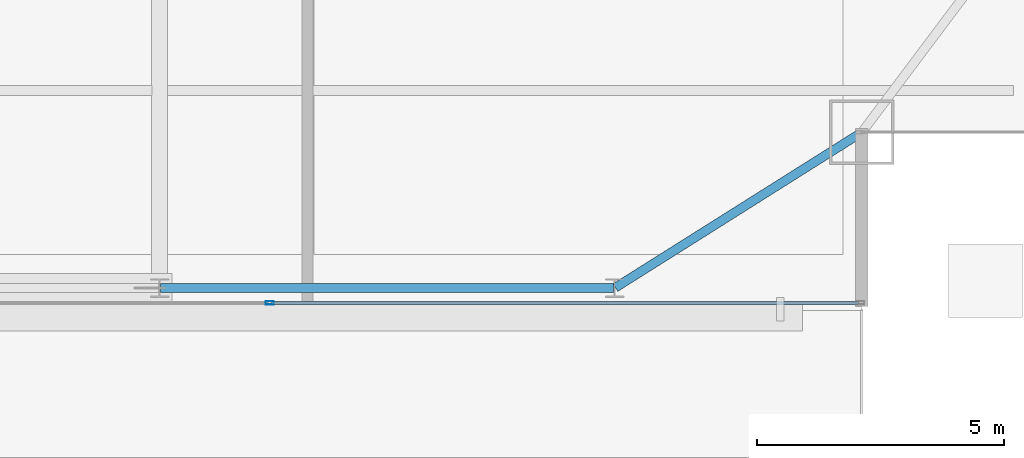
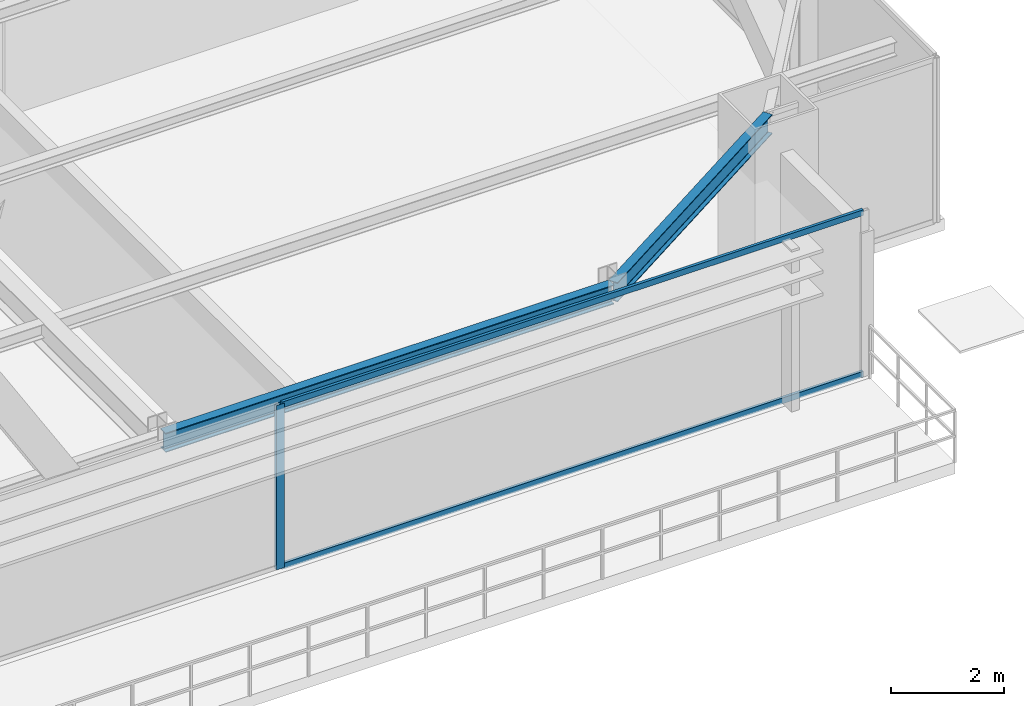
# One storey, part 13 of 33: 3 members, 2 beams, 1 element without a shape of its own.
"""IFC4 building model written with IfcOpenShell, lengths in metres."""

from ifc_helpers import new_model, si_unit, direction, frame, origin, origin_2d, place, context, subcontext, project, spatial, hollow_rectangle, i_section, extrude, source, transform, mapped, material, layer, layer_set, material_profile, profile_set, type_object, type_shapes, element, aggregate, save


model = new_model("IFC4")

# Units and contexts
model_context = context("Model", 3, precision=1e-05, world=origin(), true_north=direction((0.0, 1.0)))
body_context = subcontext(model_context, "Body", "Model", "MODEL_VIEW")
ifc_project = project(units=[si_unit("LENGTHUNIT", "METRE"), si_unit("AREAUNIT", "SQUARE_METRE"), si_unit("VOLUMEUNIT", "CUBIC_METRE"), si_unit("PLANEANGLEUNIT", "RADIAN"), si_unit("MASSUNIT", "GRAM", prefix="KILO")], contexts=[model_context])

# Site, building, storey
site_placement = place(None, origin())
site = spatial("IfcSite", under=ifc_project, at=site_placement, CompositionType="ELEMENT")
building_placement = place(site_placement, origin())
building = spatial("IfcBuilding", under=site, at=building_placement, Name="Varnel Quay Broadcast Tower", CompositionType="ELEMENT")
storey_placement = place(building_placement, frame((0.0, 0.0, 145.800048828125)))
storey = spatial("IfcBuildingStorey", under=building, at=storey_placement, Name="L35", CompositionType="ELEMENT", Elevation=145.800048828125)

# Beams
ifc_material_1 = material(Name="Structural Steel CSA G40.21 350W", Category="steel")
ifc_material_profile_1 = material_profile(ifc_material_1, i_section(OverallWidth=0.180908203125, OverallDepth=0.4169921875, WebThickness=0.010986328125, FlangeThickness=0.018310546875, FilletRadius=0.011962890625, at=origin_2d()), Name="W410X85")
ifc_profile_set_1 = profile_set([ifc_material_profile_1], Name="Structural Steel CSA G40.21 350W")
beam_type = type_object("IfcBeamType", Name="Beam_W410X85", PredefinedType="SPANDREL", material=ifc_profile_set_1)
shared_shape_1 = source(origin(), body_context, "Body", "SweptSolid", [
    extrude(i_section(OverallWidth=0.180908203125, OverallDepth=0.4169921875, WebThickness=0.010986328125, FlangeThickness=0.018310546875, FilletRadius=0.011962890625, at=origin_2d()), origin(), (0.0, 0.0, 1.0), 9.159912109375),
])
beam_1_placement = place(storey_placement, frame((43.219970703125, 7.64990234375, 3.341552734375), z_axis=(1.0, 0.0, 0.0), x_axis=(0.0, 1.0, 0.0)))
element("IfcBeam", 1, at=beam_1_placement, inside=storey, type_object=beam_type, Name="L35 South Spandrel TC-S4-TC-S5", PredefinedType="SPANDREL", context=body_context, shape_type="MappedRepresentation", body=[
    mapped(shared_shape_1, transform((0.0, 0.0, 0.0), x_axis=(1.0, 0.0, 0.0), y_axis=(0.0, 1.0, 0.0), z_axis=(0.0, 0.0, 1.0), scale=1.0)),
])
shared_shape_2 = source(origin(), body_context, "Body", "SweptSolid", [
    extrude(i_section(OverallWidth=0.180908203125, OverallDepth=0.4169921875, WebThickness=0.010986328125, FlangeThickness=0.018310546875, FilletRadius=0.011962890625, at=origin_2d()), origin(), (0.0, 0.0, 1.0), 5.869384765625),
])
type_shapes(beam_type, [shared_shape_1, shared_shape_2])
beam_2_placement = place(storey_placement, frame((52.4169921875, 7.66064453125, 3.341552734375), z_axis=(0.846088328928, 0.533042718412, 0.0), x_axis=(-0.533042718412, 0.846088328928, 0.0)))
element("IfcBeam", 2, at=beam_2_placement, inside=storey, type_object=beam_type, Name="L35 South Spandrel TC-S5-MC-SE", PredefinedType="SPANDREL", context=body_context, shape_type="MappedRepresentation", body=[
    mapped(shared_shape_2, transform((0.0, 0.0, 0.0), x_axis=(1.0, 0.0, 0.0), y_axis=(0.0, 1.0, 0.0), z_axis=(0.0, 0.0, 1.0), scale=1.0)),
])

# Curtain wall, members
ifc_material_2 = material(Name="Anodised Bronze Aluminium 6063-T6", Category="aluminium")
ifc_layer = layer(ifc_material_2, 0.18994140625, Name="Anodised Bronze Aluminium 6063-T6")
ifc_layer_set = layer_set([ifc_layer], Name="Anodised Bronze Aluminium 6063-T6")
curtain_wall_type = type_object("IfcCurtainWallType", Name="CW_UpperTower", PredefinedType="NOTDEFINED", material=ifc_layer_set)
curtain_wall_placement = place(storey_placement, origin())
curtain_wall = element("IfcCurtainWall", 3, at=curtain_wall_placement, inside=storey, type_object=curtain_wall_type, Name="L35 South Unitised Curtain Wall 2", PredefinedType="NOTDEFINED")
ifc_material_profile_2 = material_profile(ifc_material_2, hollow_rectangle(XDim=0.06494140625, YDim=0.1650390625, WallThickness=0.00341796875, at=origin_2d()), Name="ALU65X165X3.5")
ifc_profile_set_2 = profile_set([ifc_material_profile_2], Name="Anodised Bronze Aluminium 6063-T6")
member_type_1 = type_object("IfcMemberType", Name="Mull_CWS-03", PredefinedType="MULLION", material=ifc_profile_set_2)
shared_shape_3 = source(origin(), body_context, "Body", "SweptSolid", [
    extrude(hollow_rectangle(XDim=0.06494140625, YDim=0.1650390625, WallThickness=0.00341796875, at=origin_2d()), origin(), (0.0, 0.0, 1.0), 3.550048828125),
])
type_shapes(member_type_1, [shared_shape_3])
member_1_placement = place(storey_placement, frame((45.4267578125, 7.35009765625, 0.0), z_axis=(0.0, 0.0, 1.0), x_axis=(0.0, 1.0, 0.0)))
member_1 = element("IfcMember", 4, at=member_1_placement, type_object=member_type_1, Name="CWS-03 mullion 3", PredefinedType="MULLION", context=body_context, shape_type="MappedRepresentation", body=[
    mapped(shared_shape_3, transform((0.0, 0.0, 0.0), x_axis=(1.0, 0.0, 0.0), y_axis=(0.0, 1.0, 0.0), z_axis=(0.0, 0.0, 1.0), scale=1.0)),
])
ifc_material_profile_3 = material_profile(ifc_material_2, hollow_rectangle(XDim=0.06005859375, YDim=0.125, WallThickness=0.0029296875, at=origin_2d()), Name="ALU60X125X3")
ifc_profile_set_3 = profile_set([ifc_material_profile_3], Name="Anodised Bronze Aluminium 6063-T6")
member_type_2 = type_object("IfcMemberType", Name="Tran_CWS-03", PredefinedType="USERDEFINED", material=ifc_profile_set_3)
shared_shape_4 = source(origin(), body_context, "Body", "SweptSolid", [
    extrude(hollow_rectangle(XDim=0.06005859375, YDim=0.125, WallThickness=0.0029296875, at=origin_2d()), origin(), (0.0, 0.0, 1.0), 11.875732421875),
])
type_shapes(member_type_2, [shared_shape_4])
member_2_placement = place(storey_placement, frame((45.459228515625, 7.35009765625, 0.030029296875), z_axis=(1.0, 0.0, 0.0), x_axis=(0.0, 1.0, 0.0)))
member_2 = element("IfcMember", 5, at=member_2_placement, type_object=member_type_2, Name="CWS-03 transom 3.1", ObjectType="TRANSOM", PredefinedType="USERDEFINED", context=body_context, shape_type="MappedRepresentation", body=[
    mapped(shared_shape_4, transform((0.0, 0.0, 0.0), x_axis=(1.0, 0.0, 0.0), y_axis=(0.0, 1.0, 0.0), z_axis=(0.0, 0.0, 1.0), scale=1.0)),
])
member_3_placement = place(storey_placement, frame((45.459228515625, 7.35009765625, 3.52001953125), z_axis=(1.0, 0.0, 0.0), x_axis=(0.0, 1.0, 0.0)))
member_3 = element("IfcMember", 6, at=member_3_placement, type_object=member_type_2, Name="CWS-03 transom 3.2", ObjectType="TRANSOM", PredefinedType="USERDEFINED", context=body_context, shape_type="MappedRepresentation", body=[
    mapped(shared_shape_4, transform((0.0, 0.0, 0.0), x_axis=(1.0, 0.0, 0.0), y_axis=(0.0, 1.0, 0.0), z_axis=(0.0, 0.0, 1.0), scale=1.0)),
])
aggregate(curtain_wall, [member_1, member_2, member_3])

save(model, "model.ifc")
